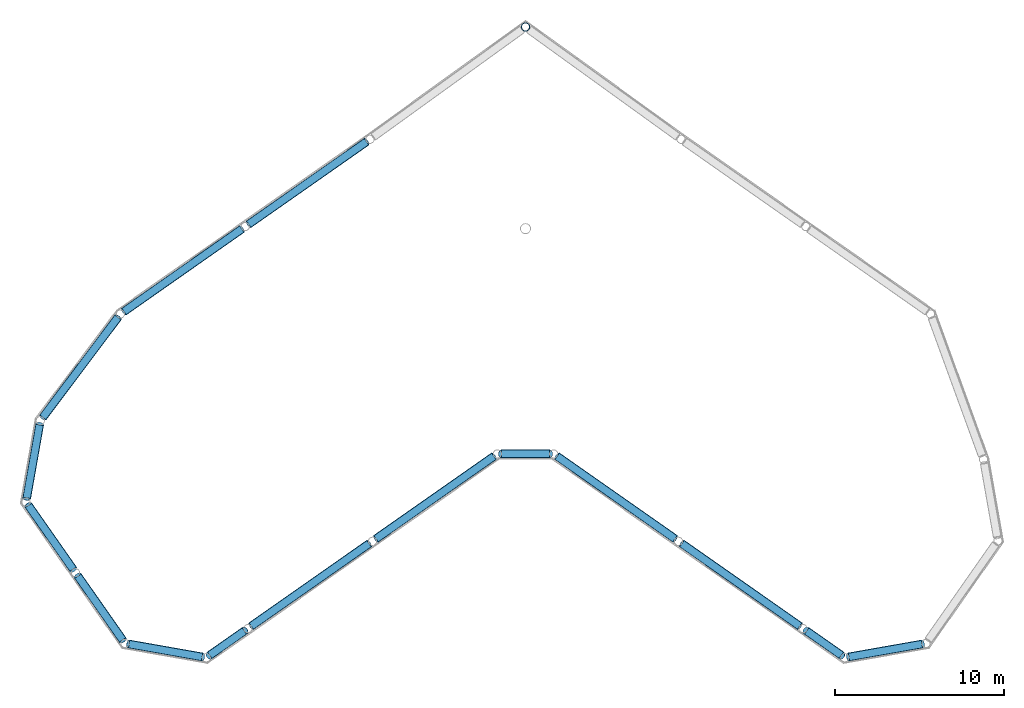
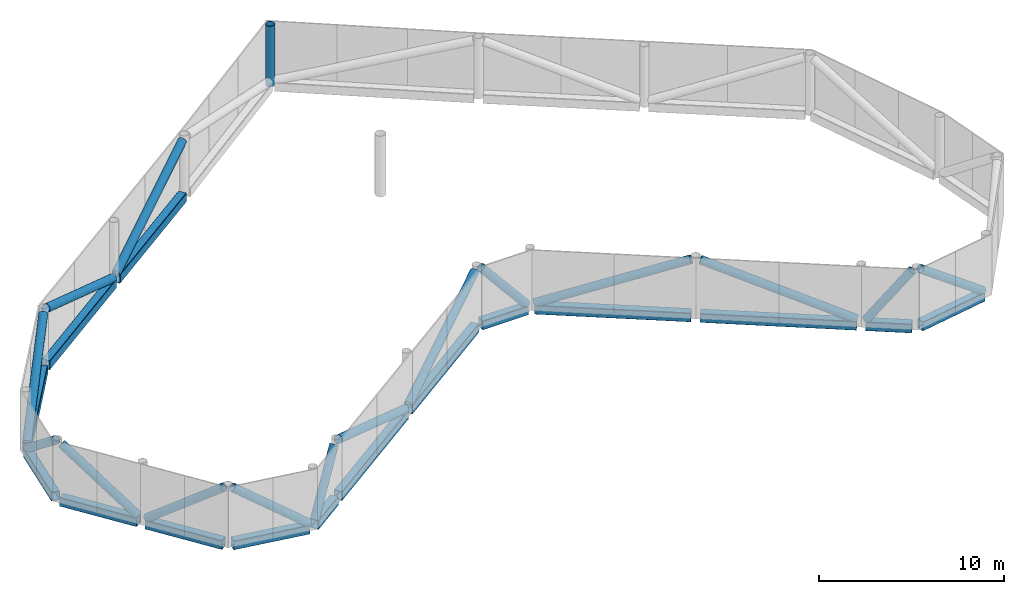
# One storey, part 2 of 4: 15 beams, 15 members, 1 column.
"""IFC4 building model written with IfcOpenShell, lengths in metres."""

from ifc_helpers import new_model, si_unit, direction, frame, origin, origin_2d, place, context, subcontext, project, spatial, hollow_rectangle, hollow_circle, extrude, material, material_profile, profile_set, type_object, element, save


model = new_model("IFC4")

# Units and contexts
model_context = context("Model", 3, precision=1e-05, world=origin(), true_north=direction((0.0, 1.0)))
body_context = subcontext(model_context, "Body", "Model", "MODEL_VIEW")
ifc_project = project(units=[si_unit("LENGTHUNIT", "METRE"), si_unit("AREAUNIT", "SQUARE_METRE"), si_unit("VOLUMEUNIT", "CUBIC_METRE"), si_unit("PLANEANGLEUNIT", "RADIAN"), si_unit("MASSUNIT", "GRAM", prefix="KILO")], contexts=[model_context])

# Site, building, storey
site_placement = place(None, origin())
site = spatial("IfcSite", under=ifc_project, at=site_placement, CompositionType="ELEMENT")
building_placement = place(site_placement, origin())
building = spatial("IfcBuilding", under=site, at=building_placement, Name="Tel Ilan Convention Tower", CompositionType="ELEMENT")
storey_placement = place(building_placement, frame((0.0, 0.0, 330.800048828125)))
storey = spatial("IfcBuildingStorey", under=building, at=storey_placement, Name="L78", CompositionType="ELEMENT", Elevation=330.800048828125)

# Column
ifc_material_1 = material(Name="Steel S355", Category="steel")
ifc_material_profile_1 = material_profile(ifc_material_1, hollow_circle(Radius=0.25390625, WallThickness=0.02490234375, at=origin_2d()), Name="CHS 508x25")
ifc_profile_set_1 = profile_set([ifc_material_profile_1], Name="Steel S355")
column_type = type_object("IfcColumnType", Name="CROWN FRAME COLUMN CHS 508x25", PredefinedType="COLUMN", material=ifc_profile_set_1)
column_placement = place(storey_placement, frame((0.0, 11.91796875, 0.0), z_axis=(0.0, 0.0, 1.0), x_axis=(1.0, 0.0, 0.0)))
element("IfcColumn", 1, at=column_placement, inside=storey, type_object=column_type, Name="CROWN FRAME column", PredefinedType="COLUMN", context=body_context, shape_type="SweptSolid", body=[
    extrude(hollow_circle(Radius=0.25390625, WallThickness=0.02490234375, at=origin_2d()), origin(), (0.0, 0.0, 1.0), 4.0),
])

# Members
ifc_material_2 = material(Name="Steel S355", Category="steel")
ifc_material_profile_2 = material_profile(ifc_material_2, hollow_circle(Radius=0.25390625, WallThickness=0.01611328125, at=origin_2d()), Name="CHS 508x16")
ifc_profile_set_2 = profile_set([ifc_material_profile_2], Name="Steel S355")
member_type = type_object("IfcMemberType", Name="CROWN FRAME BRACE CHS 508x16", PredefinedType="BRACE", material=ifc_profile_set_2)
member_1_placement = place(storey_placement, frame((-18.658935546875, -25.212158203125, 0.300048828125), z_axis=(0.484197231699, 0.339111817177, 0.806570651751), x_axis=(-0.573659598331, 0.819093807352, 0.0)))
element("IfcMember", 2, at=member_1_placement, inside=storey, type_object=member_type, Name="CROWN FRAME brace", PredefinedType="BRACE", context=body_context, shape_type="SweptSolid", body=[
    extrude(hollow_circle(Radius=0.25390625, WallThickness=0.01611328125, at=origin_2d()), origin(), (0.0, 0.0, 1.0), 4.21533203125),
])
member_2_placement = place(storey_placement, frame((-16.201904296875, -23.4912109375, 3.699951171875), z_axis=(0.760457085565, 0.532488114036, -0.371700725618), x_axis=(-0.573583902989, 0.819146816042, 0.0)))
element("IfcMember", 3, at=member_2_placement, inside=storey, type_object=member_type, Name="CROWN FRAME brace", PredefinedType="BRACE", context=body_context, shape_type="SweptSolid", body=[
    extrude(hollow_circle(Radius=0.25390625, WallThickness=0.01611328125, at=origin_2d()), origin(), (0.0, 0.0, 1.0), 9.14697265625),
])
member_3_placement = place(storey_placement, frame((-8.829833984375, -18.329345703125, 0.300048828125), z_axis=(0.760502103222, 0.532444883638, 0.37167054885), x_axis=(-0.57352987213, 0.819184646935, 0.0)))
element("IfcMember", 4, at=member_3_placement, inside=storey, type_object=member_type, Name="CROWN FRAME brace", PredefinedType="BRACE", context=body_context, shape_type="SweptSolid", body=[
    extrude(hollow_circle(Radius=0.25390625, WallThickness=0.01611328125, at=origin_2d()), origin(), (0.0, 0.0, 1.0), 9.147705078125),
])
member_4_placement = place(storey_placement, frame((-1.410888671875, -13.31298828125, 3.699951171875), z_axis=(0.6386504471, 0.0, -0.769496982723), x_axis=(0.0, 1.0, 0.0)))
element("IfcMember", 5, at=member_4_placement, inside=storey, type_object=member_type, Name="CROWN FRAME brace", PredefinedType="BRACE", context=body_context, shape_type="SweptSolid", body=[
    extrude(hollow_circle(Radius=0.25390625, WallThickness=0.01611328125, at=origin_2d()), origin(), (0.0, 0.0, 1.0), 4.41845703125),
])
member_5_placement = place(storey_placement, frame((1.873046875, -13.458740234375, 0.300048828125), z_axis=(0.760502103222, -0.532444883638, 0.37167054885), x_axis=(0.57352987213, 0.819184646935, 0.0)))
element("IfcMember", 6, at=member_5_placement, inside=storey, type_object=member_type, Name="CROWN FRAME brace", PredefinedType="BRACE", context=body_context, shape_type="SweptSolid", body=[
    extrude(hollow_circle(Radius=0.25390625, WallThickness=0.01611328125, at=origin_2d()), origin(), (0.0, 0.0, 1.0), 9.147705078125),
])
member_6_placement = place(storey_placement, frame((9.24609375, -18.62060546875, 3.699951171875), z_axis=(0.760457085565, -0.532488114036, -0.371700725618), x_axis=(0.573583902989, 0.819146816042, 0.0)))
element("IfcMember", 7, at=member_6_placement, inside=storey, type_object=member_type, Name="CROWN FRAME brace", PredefinedType="BRACE", context=body_context, shape_type="SweptSolid", body=[
    extrude(hollow_circle(Radius=0.25390625, WallThickness=0.01611328125, at=origin_2d()), origin(), (0.0, 0.0, 1.0), 9.14697265625),
])
member_7_placement = place(storey_placement, frame((16.617919921875, -23.78271484375, 0.300048828125), z_axis=(0.484197231699, -0.339111817177, 0.806570651751), x_axis=(0.573659598331, 0.819093807352, 0.0)))
element("IfcMember", 8, at=member_7_placement, inside=storey, type_object=member_type, Name="CROWN FRAME brace", PredefinedType="BRACE", context=body_context, shape_type="SweptSolid", body=[
    extrude(hollow_circle(Radius=0.25390625, WallThickness=0.01611328125, at=origin_2d()), origin(), (0.0, 0.0, 1.0), 4.21533203125),
])
member_8_placement = place(storey_placement, frame((19.1171875, -25.31396484375, 3.699951171875), z_axis=(0.777350873367, 0.137023962932, -0.613962582946), x_axis=(-0.173594152601, 0.984817277561, 0.0)))
element("IfcMember", 9, at=member_8_placement, inside=storey, type_object=member_type, Name="CROWN FRAME brace", PredefinedType="BRACE", context=body_context, shape_type="SweptSolid", body=[
    extrude(hollow_circle(Radius=0.25390625, WallThickness=0.01611328125, at=origin_2d()), origin(), (0.0, 0.0, 1.0), 5.53759765625),
])
member_9_placement = place(storey_placement, frame((-9.401123046875, 5.13720703125, 3.699951171875), z_axis=(-0.760457085565, -0.532488114036, -0.371700725618), x_axis=(0.573583902989, -0.819146816042, 0.0)))
element("IfcMember", 10, at=member_9_placement, inside=storey, type_object=member_type, Name="CROWN FRAME brace", PredefinedType="BRACE", context=body_context, shape_type="SweptSolid", body=[
    extrude(hollow_circle(Radius=0.25390625, WallThickness=0.01611328125, at=origin_2d()), origin(), (0.0, 0.0, 1.0), 9.14697265625),
])
member_10_placement = place(storey_placement, frame((-16.77294921875, -0.024658203125, 0.300048828125), z_axis=(-0.760425108847, -0.532553791307, 0.371672050604), x_axis=(0.573647554936, -0.819102241918, 0.0)))
element("IfcMember", 11, at=member_10_placement, inside=storey, type_object=member_type, Name="CROWN FRAME brace", PredefinedType="BRACE", context=body_context, shape_type="SweptSolid", body=[
    extrude(hollow_circle(Radius=0.25390625, WallThickness=0.01611328125, at=origin_2d()), origin(), (0.0, 0.0, 1.0), 9.147705078125),
])
member_11_placement = place(storey_placement, frame((-24.089599609375, -5.2451171875, 3.699951171875), z_axis=(-0.54556047467, -0.726192330526, -0.418340133818), x_axis=(0.799515545431, -0.600645396731, 0.0)))
element("IfcMember", 12, at=member_11_placement, inside=storey, type_object=member_type, Name="CROWN FRAME brace", PredefinedType="BRACE", context=body_context, shape_type="SweptSolid", body=[
    extrude(hollow_circle(Radius=0.25390625, WallThickness=0.01611328125, at=origin_2d()), origin(), (0.0, 0.0, 1.0), 8.127197265625),
])
member_12_placement = place(storey_placement, frame((-28.72021484375, -11.60009765625, 0.300048828125), z_axis=(-0.137023962932, -0.777350873367, 0.613962582946), x_axis=(0.984817277561, -0.173594152601, 0.0)))
element("IfcMember", 13, at=member_12_placement, inside=storey, type_object=member_type, Name="CROWN FRAME brace", PredefinedType="BRACE", context=body_context, shape_type="SweptSolid", body=[
    extrude(hollow_circle(Radius=0.25390625, WallThickness=0.01611328125, at=origin_2d()), origin(), (0.0, 0.0, 1.0), 5.53759765625),
])
member_13_placement = place(storey_placement, frame((-29.37744140625, -16.363037109375, 3.699951171875), z_axis=(0.460944959569, -0.658389032443, -0.59502405515), x_axis=(0.819189459192, 0.573522998622, 0.0)))
element("IfcMember", 14, at=member_13_placement, inside=storey, type_object=member_type, Name="CROWN FRAME brace", PredefinedType="BRACE", context=body_context, shape_type="SweptSolid", body=[
    extrude(hollow_circle(Radius=0.25390625, WallThickness=0.01611328125, at=origin_2d()), origin(), (0.0, 0.0, 1.0), 5.7138671875),
])
member_14_placement = place(storey_placement, frame((-26.452392578125, -20.541015625, 0.300048828125), z_axis=(0.461079540574, -0.658337160924, 0.594977175873), x_axis=(0.819089549842, 0.573665677324, 0.0)))
element("IfcMember", 15, at=member_14_placement, inside=storey, type_object=member_type, Name="CROWN FRAME brace", PredefinedType="BRACE", context=body_context, shape_type="SweptSolid", body=[
    extrude(hollow_circle(Radius=0.25390625, WallThickness=0.01611328125, at=origin_2d()), origin(), (0.0, 0.0, 1.0), 5.71435546875),
])
member_15_placement = place(storey_placement, frame((-23.421875, -24.55517578125, 3.699951171875), z_axis=(0.777350873367, -0.137023962932, -0.613962582946), x_axis=(0.173594152601, 0.984817277561, 0.0)))
element("IfcMember", 16, at=member_15_placement, inside=storey, type_object=member_type, Name="CROWN FRAME brace", PredefinedType="BRACE", context=body_context, shape_type="SweptSolid", body=[
    extrude(hollow_circle(Radius=0.25390625, WallThickness=0.01611328125, at=origin_2d()), origin(), (0.0, 0.0, 1.0), 5.53759765625),
])

# Beams
ifc_material_3 = material(Name="Steel S355", Category="steel")
ifc_material_profile_3 = material_profile(ifc_material_3, hollow_rectangle(XDim=0.5, YDim=0.60009765625, WallThickness=0.02490234375, InnerFilletRadius=0.02490234375, OuterFilletRadius=0.050048828125, at=origin_2d()), Name="RHS 600x500x25")
ifc_profile_set_3 = profile_set([ifc_material_profile_3], Name="Steel S355")
beam_type = type_object("IfcBeamType", Name="CROWN FRAME RING BEAM RHS 600x500x25", PredefinedType="BEAM", material=ifc_profile_set_3)
beam_1_placement = place(storey_placement, frame((-18.658935546875, -25.212158203125, 0.0), z_axis=(0.819093807352, 0.573659598331, 0.0), x_axis=(-0.573659598331, 0.819093807352, 0.0)))
element("IfcBeam", 17, at=beam_1_placement, inside=storey, type_object=beam_type, Name="CROWN FRAME ring beam", PredefinedType="BEAM", context=body_context, shape_type="SweptSolid", body=[
    extrude(hollow_rectangle(XDim=0.5, YDim=0.60009765625, WallThickness=0.02490234375, InnerFilletRadius=0.02490234375, OuterFilletRadius=0.050048828125, at=origin_2d()), origin(), (0.0, 0.0, 1.0), 2.49169921875),
])
beam_2_placement = place(storey_placement, frame((-16.201904296875, -23.4912109375, 0.0), z_axis=(0.819146816042, 0.573583902989, 0.0), x_axis=(-0.573583902989, 0.819146816042, 0.0)))
element("IfcBeam", 18, at=beam_2_placement, inside=storey, type_object=beam_type, Name="CROWN FRAME ring beam", PredefinedType="BEAM", context=body_context, shape_type="SweptSolid", body=[
    extrude(hollow_rectangle(XDim=0.5, YDim=0.60009765625, WallThickness=0.02490234375, InnerFilletRadius=0.02490234375, OuterFilletRadius=0.050048828125, at=origin_2d()), origin(), (0.0, 0.0, 1.0), 8.491455078125),
])
beam_3_placement = place(storey_placement, frame((-8.829833984375, -18.329345703125, 0.0), z_axis=(0.819184646935, 0.57352987213, 0.0), x_axis=(-0.57352987213, 0.819184646935, 0.0)))
element("IfcBeam", 19, at=beam_3_placement, inside=storey, type_object=beam_type, Name="CROWN FRAME ring beam", PredefinedType="BEAM", context=body_context, shape_type="SweptSolid", body=[
    extrude(hollow_rectangle(XDim=0.5, YDim=0.60009765625, WallThickness=0.02490234375, InnerFilletRadius=0.02490234375, OuterFilletRadius=0.050048828125, at=origin_2d()), origin(), (0.0, 0.0, 1.0), 8.492431640625),
])
beam_4_placement = place(storey_placement, frame((-1.410888671875, -13.31298828125, 0.0), z_axis=(1.0, 0.0, 0.0), x_axis=(0.0, 1.0, 0.0)))
element("IfcBeam", 20, at=beam_4_placement, inside=storey, type_object=beam_type, Name="CROWN FRAME ring beam", PredefinedType="BEAM", context=body_context, shape_type="SweptSolid", body=[
    extrude(hollow_rectangle(XDim=0.5, YDim=0.60009765625, WallThickness=0.02490234375, InnerFilletRadius=0.02490234375, OuterFilletRadius=0.050048828125, at=origin_2d()), origin(), (0.0, 0.0, 1.0), 2.82177734375),
])
beam_5_placement = place(storey_placement, frame((1.873046875, -13.458740234375, 0.0), z_axis=(0.819184646935, -0.57352987213, 0.0), x_axis=(0.57352987213, 0.819184646935, 0.0)))
element("IfcBeam", 21, at=beam_5_placement, inside=storey, type_object=beam_type, Name="CROWN FRAME ring beam", PredefinedType="BEAM", context=body_context, shape_type="SweptSolid", body=[
    extrude(hollow_rectangle(XDim=0.5, YDim=0.60009765625, WallThickness=0.02490234375, InnerFilletRadius=0.02490234375, OuterFilletRadius=0.050048828125, at=origin_2d()), origin(), (0.0, 0.0, 1.0), 8.492431640625),
])
beam_6_placement = place(storey_placement, frame((9.24609375, -18.62060546875, 0.0), z_axis=(0.819146816042, -0.573583902989, 0.0), x_axis=(0.573583902989, 0.819146816042, 0.0)))
element("IfcBeam", 22, at=beam_6_placement, inside=storey, type_object=beam_type, Name="CROWN FRAME ring beam", PredefinedType="BEAM", context=body_context, shape_type="SweptSolid", body=[
    extrude(hollow_rectangle(XDim=0.5, YDim=0.60009765625, WallThickness=0.02490234375, InnerFilletRadius=0.02490234375, OuterFilletRadius=0.050048828125, at=origin_2d()), origin(), (0.0, 0.0, 1.0), 8.491455078125),
])
beam_7_placement = place(storey_placement, frame((16.617919921875, -23.78271484375, 0.0), z_axis=(0.819093807352, -0.573659598331, 0.0), x_axis=(0.573659598331, 0.819093807352, 0.0)))
element("IfcBeam", 23, at=beam_7_placement, inside=storey, type_object=beam_type, Name="CROWN FRAME ring beam", PredefinedType="BEAM", context=body_context, shape_type="SweptSolid", body=[
    extrude(hollow_rectangle(XDim=0.5, YDim=0.60009765625, WallThickness=0.02490234375, InnerFilletRadius=0.02490234375, OuterFilletRadius=0.050048828125, at=origin_2d()), origin(), (0.0, 0.0, 1.0), 2.49169921875),
])
beam_8_placement = place(storey_placement, frame((19.1171875, -25.31396484375, 0.0), z_axis=(0.984817277561, 0.173594152601, 0.0), x_axis=(-0.173594152601, 0.984817277561, 0.0)))
element("IfcBeam", 24, at=beam_8_placement, inside=storey, type_object=beam_type, Name="CROWN FRAME ring beam", PredefinedType="BEAM", context=body_context, shape_type="SweptSolid", body=[
    extrude(hollow_rectangle(XDim=0.5, YDim=0.60009765625, WallThickness=0.02490234375, InnerFilletRadius=0.02490234375, OuterFilletRadius=0.050048828125, at=origin_2d()), origin(), (0.0, 0.0, 1.0), 4.37109375),
])
beam_9_placement = place(storey_placement, frame((-9.401123046875, 5.13720703125, 0.0), z_axis=(-0.819146816042, -0.573583902989, 0.0), x_axis=(0.573583902989, -0.819146816042, 0.0)))
element("IfcBeam", 25, at=beam_9_placement, inside=storey, type_object=beam_type, Name="CROWN FRAME ring beam", PredefinedType="BEAM", context=body_context, shape_type="SweptSolid", body=[
    extrude(hollow_rectangle(XDim=0.5, YDim=0.60009765625, WallThickness=0.02490234375, InnerFilletRadius=0.02490234375, OuterFilletRadius=0.050048828125, at=origin_2d()), origin(), (0.0, 0.0, 1.0), 8.491455078125),
])
beam_10_placement = place(storey_placement, frame((-16.77294921875, -0.024658203125, 0.0), z_axis=(-0.819102241918, -0.573647554936, 0.0), x_axis=(0.573647554936, -0.819102241918, 0.0)))
element("IfcBeam", 26, at=beam_10_placement, inside=storey, type_object=beam_type, Name="CROWN FRAME ring beam", PredefinedType="BEAM", context=body_context, shape_type="SweptSolid", body=[
    extrude(hollow_rectangle(XDim=0.5, YDim=0.60009765625, WallThickness=0.02490234375, InnerFilletRadius=0.02490234375, OuterFilletRadius=0.050048828125, at=origin_2d()), origin(), (0.0, 0.0, 1.0), 8.4921875),
])
beam_11_placement = place(storey_placement, frame((-24.089599609375, -5.2451171875, 0.0), z_axis=(-0.600645396731, -0.799515545431, 0.0), x_axis=(0.799515545431, -0.600645396731, 0.0)))
element("IfcBeam", 27, at=beam_11_placement, inside=storey, type_object=beam_type, Name="CROWN FRAME ring beam", PredefinedType="BEAM", context=body_context, shape_type="SweptSolid", body=[
    extrude(hollow_rectangle(XDim=0.5, YDim=0.60009765625, WallThickness=0.02490234375, InnerFilletRadius=0.02490234375, OuterFilletRadius=0.050048828125, at=origin_2d()), origin(), (0.0, 0.0, 1.0), 7.3818359375),
])
beam_12_placement = place(storey_placement, frame((-28.72021484375, -11.60009765625, 0.0), z_axis=(-0.173594152601, -0.984817277561, 0.0), x_axis=(0.984817277561, -0.173594152601, 0.0)))
element("IfcBeam", 28, at=beam_12_placement, inside=storey, type_object=beam_type, Name="CROWN FRAME ring beam", PredefinedType="BEAM", context=body_context, shape_type="SweptSolid", body=[
    extrude(hollow_rectangle(XDim=0.5, YDim=0.60009765625, WallThickness=0.02490234375, InnerFilletRadius=0.02490234375, OuterFilletRadius=0.050048828125, at=origin_2d()), origin(), (0.0, 0.0, 1.0), 4.37109375),
])
beam_13_placement = place(storey_placement, frame((-29.37744140625, -16.363037109375, 0.0), z_axis=(0.573522998622, -0.819189459192, 0.0), x_axis=(0.819189459192, 0.573522998622, 0.0)))
element("IfcBeam", 29, at=beam_13_placement, inside=storey, type_object=beam_type, Name="CROWN FRAME ring beam", PredefinedType="BEAM", context=body_context, shape_type="SweptSolid", body=[
    extrude(hollow_rectangle(XDim=0.5, YDim=0.60009765625, WallThickness=0.02490234375, InnerFilletRadius=0.02490234375, OuterFilletRadius=0.050048828125, at=origin_2d()), origin(), (0.0, 0.0, 1.0), 4.59228515625),
])
beam_14_placement = place(storey_placement, frame((-26.452392578125, -20.541015625, 0.0), z_axis=(0.573665677324, -0.819089549842, 0.0), x_axis=(0.819089549842, 0.573665677324, 0.0)))
element("IfcBeam", 30, at=beam_14_placement, inside=storey, type_object=beam_type, Name="CROWN FRAME ring beam", PredefinedType="BEAM", context=body_context, shape_type="SweptSolid", body=[
    extrude(hollow_rectangle(XDim=0.5, YDim=0.60009765625, WallThickness=0.02490234375, InnerFilletRadius=0.02490234375, OuterFilletRadius=0.050048828125, at=origin_2d()), origin(), (0.0, 0.0, 1.0), 4.5927734375),
])
beam_15_placement = place(storey_placement, frame((-23.421875, -24.55517578125, 0.0), z_axis=(0.984817277561, -0.173594152601, 0.0), x_axis=(0.173594152601, 0.984817277561, 0.0)))
element("IfcBeam", 31, at=beam_15_placement, inside=storey, type_object=beam_type, Name="CROWN FRAME ring beam", PredefinedType="BEAM", context=body_context, shape_type="SweptSolid", body=[
    extrude(hollow_rectangle(XDim=0.5, YDim=0.60009765625, WallThickness=0.02490234375, InnerFilletRadius=0.02490234375, OuterFilletRadius=0.050048828125, at=origin_2d()), origin(), (0.0, 0.0, 1.0), 4.37109375),
])

save(model, "model.ifc")
